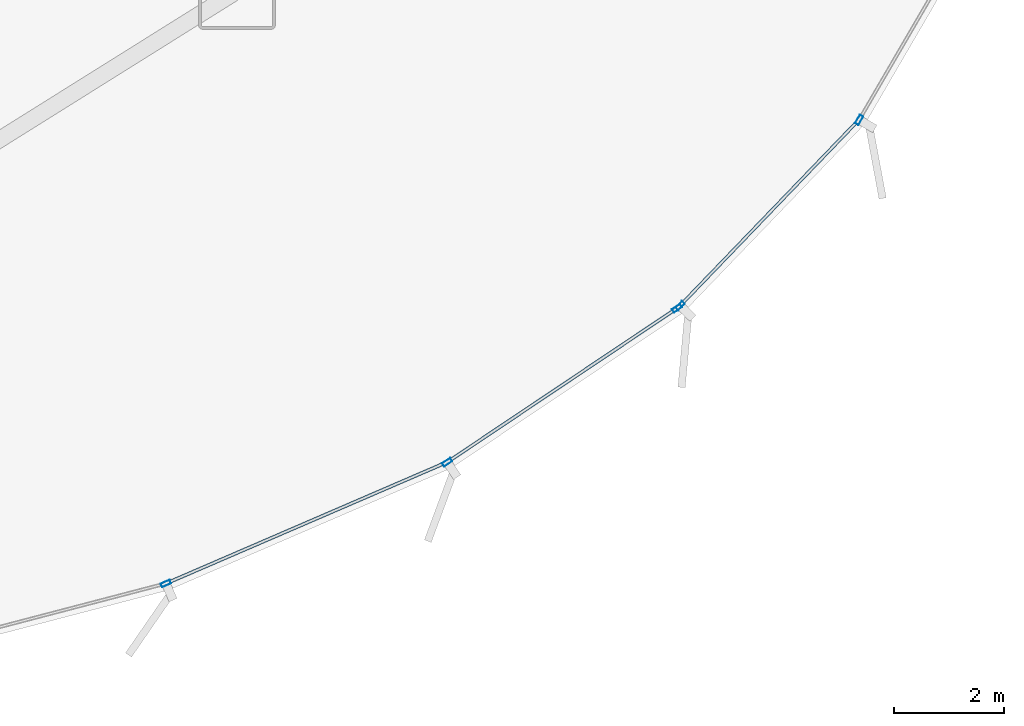
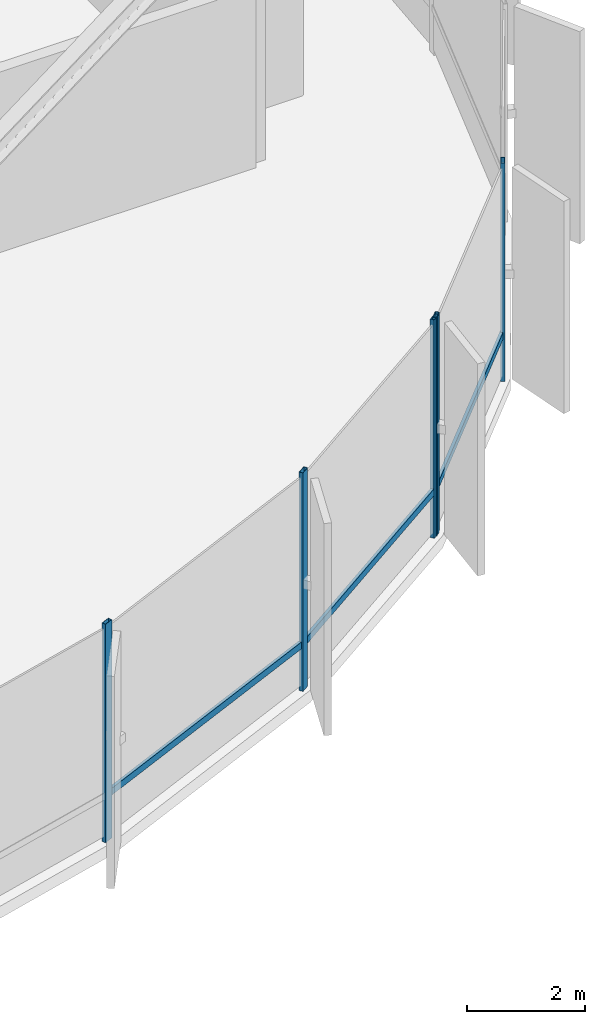
# One storey, part 16 of 33: 8 members, 2 elements without a shape of their own.
"""IFC4 building model written with IfcOpenShell, lengths in metres."""

from ifc_helpers import new_model, si_unit, direction, frame, origin, origin_2d, place, context, subcontext, project, spatial, hollow_rectangle, extrude, source, transform, mapped, material, layer, layer_set, material_profile, profile_set, type_object, element, aggregate, save


model = new_model("IFC4")

# Units and contexts
model_context = context("Model", 3, precision=1e-05, world=origin(), true_north=direction((0.0, 1.0)))
body_context = subcontext(model_context, "Body", "Model", "MODEL_VIEW")
ifc_project = project(units=[si_unit("LENGTHUNIT", "METRE"), si_unit("AREAUNIT", "SQUARE_METRE"), si_unit("VOLUMEUNIT", "CUBIC_METRE"), si_unit("PLANEANGLEUNIT", "RADIAN"), si_unit("MASSUNIT", "GRAM", prefix="KILO"), si_unit("THERMODYNAMICTEMPERATUREUNIT", "KELVIN")], contexts=[model_context])

# Site, building, storey
site_placement = place(None, origin())
site = spatial("IfcSite", under=ifc_project, at=site_placement, CompositionType="ELEMENT")
building_placement = place(site_placement, origin())
building = spatial("IfcBuilding", under=site, at=building_placement, Name="Kethvar Cultural Tower", CompositionType="ELEMENT")
storey_placement = place(building_placement, frame((0.0, 0.0, 10.0)))
storey = spatial("IfcBuildingStorey", under=building, at=storey_placement, Name="L02", CompositionType="ELEMENT", Elevation=10.0)

# Curtain wall, member
ifc_material = material(Name="Aluminium 6063-T6", Category="aluminium")
ifc_layer = layer(ifc_material, 0.179931640625, Name="Aluminium 6063-T6", Category="aluminium")
ifc_layer_set = layer_set([ifc_layer], Name="Aluminium 6063-T6 (180 mm)")
curtain_wall_type = type_object("IfcCurtainWallType", Name="CW-SYS-01-POD", PredefinedType="NOTDEFINED", material=ifc_layer_set)
curtain_wall_1_placement = place(storey_placement, origin())
curtain_wall_1 = element("IfcCurtainWall", 1, at=curtain_wall_1_placement, inside=storey, type_object=curtain_wall_type, Name="L02 Curtain Wall Run 06", PredefinedType="NOTDEFINED")
ifc_material_profile_1 = material_profile(ifc_material, hollow_rectangle(XDim=0.06005859375, YDim=0.139892578125, WallThickness=0.0048828125, at=origin_2d()), Name="Aluminium 6063-T6 — RHS140x60x5")
ifc_profile_set_1 = profile_set([ifc_material_profile_1], Name="Aluminium 6063-T6 — RHS140x60x5")
member_type_1 = type_object("IfcMemberType", Name="CW-SYS-01-POD-TRN", PredefinedType="USERDEFINED", material=ifc_profile_set_1)
shared_shape_1 = source(origin(), body_context, "Body", "SweptSolid", [
    extrude(hollow_rectangle(XDim=0.06005859375, YDim=0.139892578125, WallThickness=0.0048828125, at=origin_2d()), origin(), (0.0, 0.0, 1.0), 4.6826171875),
])
member_1_placement = place(storey_placement, frame((75.5068359375, 8.283203125, 0.949951171875), z_axis=(0.693341040309, 0.72060960431, 0.0), x_axis=(-0.72060960431, 0.693341040309, 0.0)))
member_1 = element("IfcMember", 2, at=member_1_placement, type_object=member_type_1, Name="CW-L02-R06 Transom 1", ObjectType="TRANSOM", PredefinedType="USERDEFINED", context=body_context, shape_type="MappedRepresentation", body=[
    mapped(shared_shape_1, transform((0.0, 0.0, 0.0), scale=1.0)),
])

# Curtain wall, members
curtain_wall_2_placement = place(storey_placement, origin())
curtain_wall_2 = element("IfcCurtainWall", 3, at=curtain_wall_2_placement, inside=storey, type_object=curtain_wall_type, Name="L02 Curtain Wall Run 05", PredefinedType="NOTDEFINED")
shared_shape_2 = source(origin(), body_context, "Body", "SweptSolid", [
    extrude(hollow_rectangle(XDim=0.06005859375, YDim=0.139892578125, WallThickness=0.0048828125, at=origin_2d()), origin(), (0.0, 0.0, 1.0), 4.991455078125),
])
member_2_placement = place(storey_placement, frame((71.298828125, 5.4541015625, 0.949951171875), z_axis=(0.830806616573, 0.556561196867, 0.0), x_axis=(-0.556561196867, 0.830806616573, 0.0)))
member_2 = element("IfcMember", 4, at=member_2_placement, type_object=member_type_1, Name="CW-L02-R05 Transom 6", ObjectType="TRANSOM", PredefinedType="USERDEFINED", context=body_context, shape_type="MappedRepresentation", body=[
    mapped(shared_shape_2, transform((0.0, 0.0, 0.0), scale=1.0)),
])
shared_shape_3 = source(origin(), body_context, "Body", "SweptSolid", [
    extrude(hollow_rectangle(XDim=0.06005859375, YDim=0.139892578125, WallThickness=0.0048828125, at=origin_2d()), origin(), (0.0, 0.0, 1.0), 5.504638671875),
])
member_3_placement = place(storey_placement, frame((66.17138671875, 3.231689453125, 0.949951171875), z_axis=(0.918072625283, 0.39641222825, 0.0), x_axis=(-0.39641222825, 0.918072625283, 0.0)))
member_3 = element("IfcMember", 5, at=member_3_placement, type_object=member_type_1, Name="CW-L02-R05 Transom 5", ObjectType="TRANSOM", PredefinedType="USERDEFINED", context=body_context, shape_type="MappedRepresentation", body=[
    mapped(shared_shape_3, transform((0.0, 0.0, 0.0), scale=1.0)),
])
ifc_material_profile_2 = material_profile(ifc_material, hollow_rectangle(XDim=0.074951171875, YDim=0.179931640625, WallThickness=0.006103515625, at=origin_2d()), Name="Aluminium 6063-T6 — RHS180x75x6")
ifc_profile_set_2 = profile_set([ifc_material_profile_2], Name="Aluminium 6063-T6 — RHS180x75x6")
member_type_2 = type_object("IfcMemberType", Name="CW-SYS-01-POD-MUL", PredefinedType="MULLION", material=ifc_profile_set_2)
shared_shape_4 = source(origin(), body_context, "Body", "SweptSolid", [
    extrude(hollow_rectangle(XDim=0.074951171875, YDim=0.179931640625, WallThickness=0.006103515625, at=origin_2d()), origin(), (0.0, 0.0, 1.0), 4.530029296875),
])
member_4_placement = place(storey_placement, frame((66.121826171875, 3.210205078125, 0.0), z_axis=(0.0, 0.0, 1.0), x_axis=(-0.396410942082, 0.918073180633, 0.0)))
member_4 = element("IfcMember", 6, at=member_4_placement, type_object=member_type_2, Name="CW-L02-R05 Mullion 5", PredefinedType="MULLION", context=body_context, shape_type="MappedRepresentation", body=[
    mapped(shared_shape_4, transform((0.0, 0.0, 0.0), scale=1.0)),
])
member_5_placement = place(storey_placement, frame((71.25390625, 5.424072265625, 0.0), z_axis=(0.0, 0.0, 1.0), x_axis=(-0.556556649514, 0.830809662848, 0.0)))
member_5 = element("IfcMember", 7, at=member_5_placement, type_object=member_type_2, Name="CW-L02-R05 Mullion 6", PredefinedType="MULLION", context=body_context, shape_type="MappedRepresentation", body=[
    mapped(shared_shape_4, transform((0.0, 0.0, 0.0), scale=1.0)),
])
member_6_placement = place(storey_placement, frame((75.4501953125, 8.235107421875, 0.0), z_axis=(0.0, 0.0, 1.0), x_axis=(-0.556556649514, 0.830809662848, 0.0)))
member_6 = element("IfcMember", 8, at=member_6_placement, type_object=member_type_2, Name="CW-L02-R05 Mullion 7", PredefinedType="MULLION", context=body_context, shape_type="MappedRepresentation", body=[
    mapped(shared_shape_4, transform((0.0, 0.0, 0.0), scale=1.0)),
])
aggregate(curtain_wall_2, [member_4, member_5, member_6, member_3, member_2])

# Member
member_7_placement = place(storey_placement, frame((75.503173828125, 8.279541015625, 0.0), z_axis=(0.0, 0.0, 1.0), x_axis=(-0.720611619661, 0.693338945689, 0.0)))
member_7 = element("IfcMember", 9, at=member_7_placement, type_object=member_type_2, Name="CW-L02-R06 Mullion 1", PredefinedType="MULLION", context=body_context, shape_type="MappedRepresentation", body=[
    mapped(shared_shape_4, transform((0.0, 0.0, 0.0), scale=1.0)),
])

member_8_placement = place(storey_placement, frame((78.772216796875, 11.671630859375, 0.0), z_axis=(0.0, 0.0, 1.0), x_axis=(-0.863984939927, 0.503517649721, 0.0)))
member_8 = element("IfcMember", 10, at=member_8_placement, type_object=member_type_2, Name="CW-L02-R06 Mullion 2", PredefinedType="MULLION", context=body_context, shape_type="MappedRepresentation", body=[
    mapped(shared_shape_4, transform((0.0, 0.0, 0.0), scale=1.0)),
])

aggregate(curtain_wall_1, [member_7, member_8, member_1])

save(model, "model.ifc")
